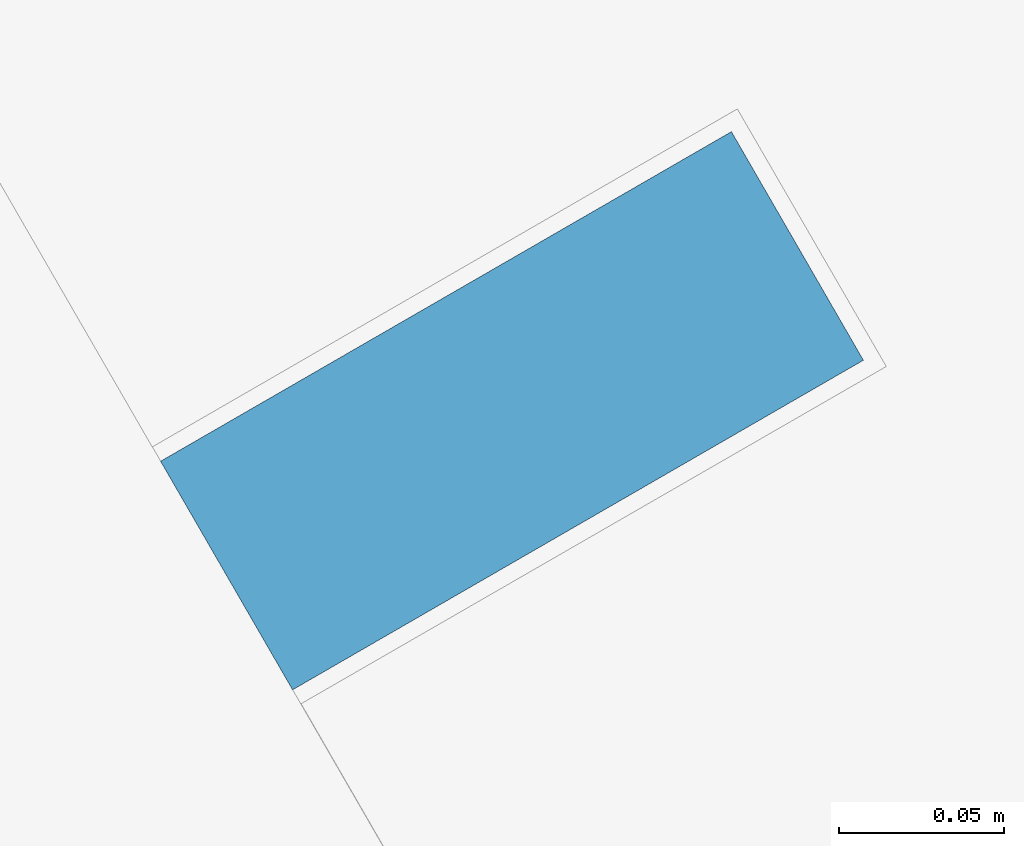
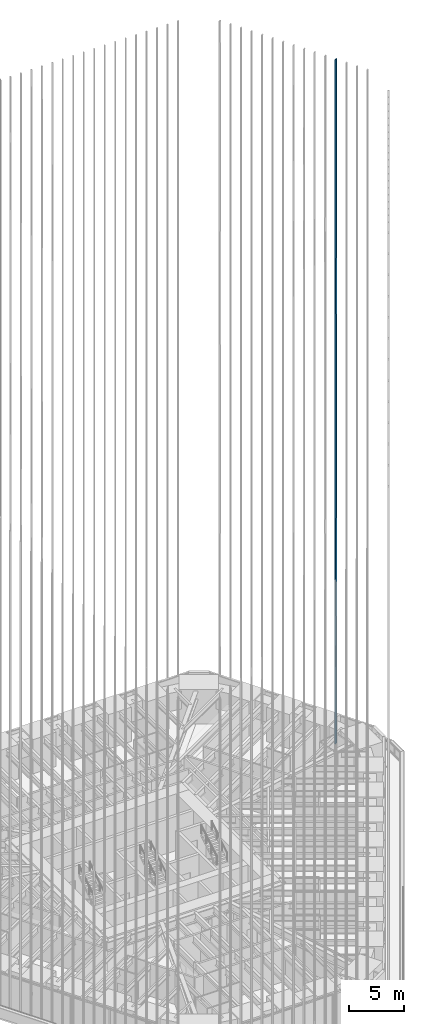
# One storey, part 192 of 238: 1 member, 1 element without a shape of its own.
"""IFC4 building model written with IfcOpenShell, lengths in metres."""

from ifc_helpers import new_model, si_unit, direction, frame, origin, origin_2d, place, context, subcontext, project, spatial, rectangle, extrude, material, material_profile, profile_set, type_object, element, aggregate, save


model = new_model("IFC4")

# Units and contexts
model_context = context("Model", 3, precision=1e-05, world=origin(), true_north=direction((0.0, 1.0)))
body_context = subcontext(model_context, "Body", "Model", "MODEL_VIEW")
ifc_project = project(units=[si_unit("LENGTHUNIT", "METRE"), si_unit("AREAUNIT", "SQUARE_METRE"), si_unit("VOLUMEUNIT", "CUBIC_METRE"), si_unit("PLANEANGLEUNIT", "RADIAN"), si_unit("MASSUNIT", "GRAM", prefix="KILO")], contexts=[model_context])

# Site, building, storey
site_placement = place(None, origin())
site = spatial("IfcSite", under=ifc_project, at=site_placement, CompositionType="ELEMENT")
building_placement = place(site_placement, origin())
building = spatial("IfcBuilding", under=site, at=building_placement, Name="Sandreach Pilgrim Tower", CompositionType="ELEMENT")
storey_placement = place(building_placement, frame((0.0, 0.0, 96.800048828125)))
storey = spatial("IfcBuildingStorey", under=building, at=storey_placement, Name="L23", CompositionType="ELEMENT", Elevation=96.800048828125)

# Curtain wall, member
ifc_material_1 = material(Name="Aluminium framed curtain wall", Category="aluminium")
curtain_wall_type = type_object("IfcCurtainWallType", Name="Hotel tower curtain wall", PredefinedType="NOTDEFINED", material=ifc_material_1)
curtain_wall_placement = place(storey_placement, origin())
curtain_wall = element("IfcCurtainWall", 1, at=curtain_wall_placement, inside=storey, type_object=curtain_wall_type, Name="CW-2 L23 NE", PredefinedType="NOTDEFINED")
ifc_material_2 = material(Name="Extruded terracotta on aluminium core", Category="masonry")
ifc_material_profile = material_profile(ifc_material_2, rectangle(XDim=0.080078125, YDim=0.199951171875, at=origin_2d()), Name="TBE 80X200")
ifc_profile_set = profile_set([ifc_material_profile], Name="Extruded terracotta on aluminium core")
member_type = type_object("IfcMemberType", Name="Terracotta baguette east", PredefinedType="USERDEFINED", material=ifc_profile_set)
member_placement = place(storey_placement, frame((26.97216796875, 10.46728515625, 0.0), z_axis=(0.0, 0.0, 1.0), x_axis=(0.5, -0.866025403784, 0.0)))
member = element("IfcMember", 2, at=member_placement, type_object=member_type, Name="Baguette Z2 NE12", ObjectType="BAGUETTE", PredefinedType="USERDEFINED", context=body_context, shape_type="SweptSolid", body=[
    extrude(rectangle(XDim=0.080078125, YDim=0.199951171875, at=origin_2d()), origin(), (0.0, 0.0, 1.0), 75.83984375),
])
aggregate(curtain_wall, [member])

save(model, "model.ifc")
